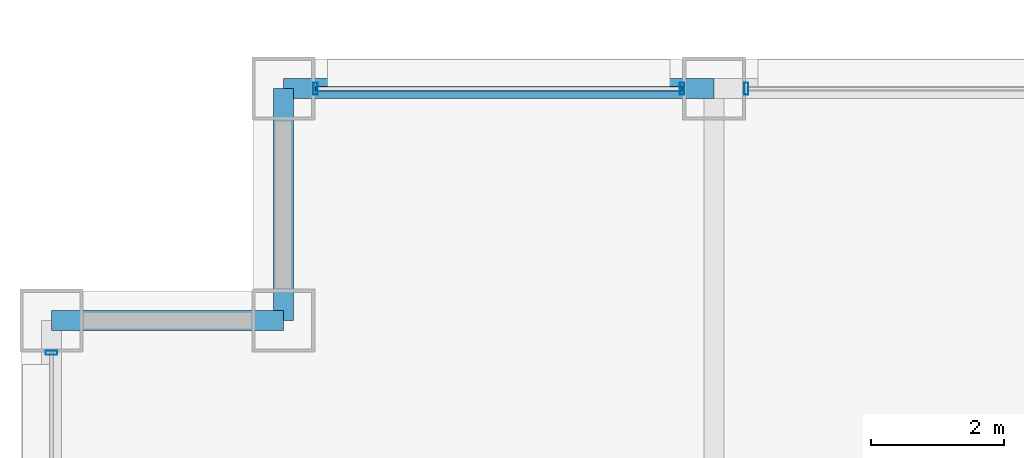
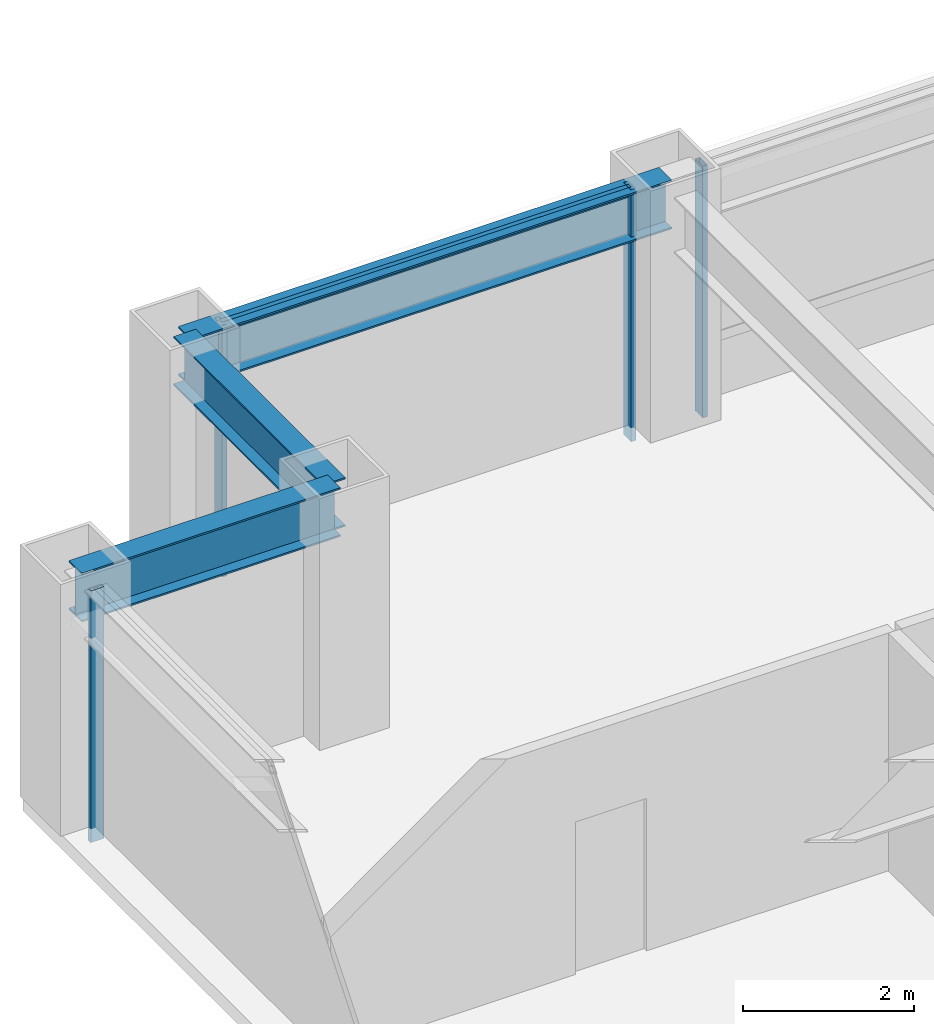
# One storey, part 17 of 31: 5 members, 3 beams, 3 elements without a shape of their own.
"""IFC4 building model written with IfcOpenShell, lengths in metres."""

from ifc_helpers import new_model, si_unit, direction, frame, origin, origin_2d, place, context, subcontext, project, spatial, hollow_rectangle, i_section, extrude, material, layer, layer_set, material_profile, profile_set, type_object, element, aggregate, save


model = new_model("IFC4")

# Units and contexts
model_context = context("Model", 3, precision=1e-05, world=origin(), true_north=direction((0.0, 1.0)))
body_context = subcontext(model_context, "Body", "Model", "MODEL_VIEW")
ifc_project = project(units=[si_unit("LENGTHUNIT", "METRE"), si_unit("AREAUNIT", "SQUARE_METRE"), si_unit("VOLUMEUNIT", "CUBIC_METRE"), si_unit("PLANEANGLEUNIT", "RADIAN"), si_unit("MASSUNIT", "GRAM", prefix="KILO")], contexts=[model_context])

# Site, building, storey
site_placement = place(None, origin())
site = spatial("IfcSite", under=ifc_project, at=site_placement, CompositionType="ELEMENT")
building_placement = place(site_placement, origin())
building = spatial("IfcBuilding", under=site, at=building_placement, Name="Brelmoor Portico Tower", CompositionType="ELEMENT")
storey_placement = place(building_placement, frame((0.0, 0.0, 31.199951171875)))
storey = spatial("IfcBuildingStorey", under=building, at=storey_placement, Name="L07", CompositionType="ELEMENT", Elevation=31.199951171875)

# Beams
ifc_material_1 = material(Name="Steel Q355B", Category="steel")
ifc_material_profile_1 = material_profile(ifc_material_1, i_section(OverallWidth=0.300048828125, OverallDepth=0.699951171875, WebThickness=0.012939453125, FlangeThickness=0.02392578125, at=origin_2d()), Name="HN 700x300x13x24")
ifc_profile_set_1 = profile_set([ifc_material_profile_1], Name="Steel Q355B")
beam_type = type_object("IfcBeamType", Name="BM-SP-700", PredefinedType="SPANDREL", material=ifc_profile_set_1)
beam_1_placement = place(storey_placement, frame((-24.550048828125, 18.050048828125, 3.050048828125), z_axis=(1.0, 0.0, 0.0), x_axis=(0.0, 1.0, 0.0)))
element("IfcBeam", 1, at=beam_1_placement, inside=storey, type_object=beam_type, Name="L07 Perimeter Spandrel Beam SP-08", PredefinedType="SPANDREL", context=body_context, shape_type="SweptSolid", body=[
    extrude(i_section(OverallWidth=0.300048828125, OverallDepth=0.699951171875, WebThickness=0.012939453125, FlangeThickness=0.02392578125, at=origin_2d()), origin(), (0.0, 0.0, 1.0), 3.5),
])
beam_2_placement = place(storey_placement, frame((-21.050048828125, 21.550048828125, 3.050048828125), z_axis=(1.0, 0.0, 0.0), x_axis=(0.0, 1.0, 0.0)))
element("IfcBeam", 2, at=beam_2_placement, inside=storey, type_object=beam_type, Name="L07 Perimeter Spandrel Beam SP-10", PredefinedType="SPANDREL", context=body_context, shape_type="SweptSolid", body=[
    extrude(i_section(OverallWidth=0.300048828125, OverallDepth=0.699951171875, WebThickness=0.012939453125, FlangeThickness=0.02392578125, at=origin_2d()), origin(), (0.0, 0.0, 1.0), 6.5),
])
beam_3_placement = place(storey_placement, frame((-21.050048828125, 18.050048828125, 3.050048828125), z_axis=(0.0, 1.0, 0.0), x_axis=(-1.0, 0.0, 0.0)))
element("IfcBeam", 3, at=beam_3_placement, inside=storey, type_object=beam_type, Name="L07 Perimeter Spandrel Beam SP-19", PredefinedType="SPANDREL", context=body_context, shape_type="SweptSolid", body=[
    extrude(i_section(OverallWidth=0.300048828125, OverallDepth=0.699951171875, WebThickness=0.012939453125, FlangeThickness=0.02392578125, at=origin_2d()), origin(), (0.0, 0.0, 1.0), 3.5),
])

# Curtain wall, members
ifc_material_2 = material(Name="Anodised Aluminium Alloy 6063-T6", Category="aluminium")
ifc_layer_1 = layer(ifc_material_2, 0.179931640625)
ifc_layer_set_1 = layer_set([ifc_layer_1], Name="Anodised Aluminium Alloy 6063-T6")
curtain_wall_type_1 = type_object("IfcCurtainWallType", Name="CW-TOWER-Z1-XB", PredefinedType="NOTDEFINED", material=ifc_layer_set_1)
curtain_wall_1_placement = place(storey_placement, origin())
curtain_wall_1 = element("IfcCurtainWall", 4, at=curtain_wall_1_placement, inside=storey, type_object=curtain_wall_type_1, Name="L07 Curtain Wall CW-L07-2L-1", PredefinedType="NOTDEFINED")
ifc_material_profile_2 = material_profile(ifc_material_2, hollow_rectangle(XDim=0.06494140625, YDim=0.179931640625, WallThickness=0.00390625, at=origin_2d()), Name="ALU MULLION 65x180")
ifc_profile_set_2 = profile_set([ifc_material_profile_2], Name="Anodised Aluminium Alloy 6063-T6")
member_type_1 = type_object("IfcMemberType", Name="MB-CW-MULL-180", PredefinedType="MULLION", material=ifc_profile_set_2)
member_1_placement = place(storey_placement, frame((-20.56494140625, 21.550048828125, -0.199951171875), z_axis=(0.0, 0.0, 1.0), x_axis=(1.0, 0.0, 0.0)))
member_1 = element("IfcMember", 5, at=member_1_placement, type_object=member_type_1, Name="CW-L07-2L-1 Mullion 00", PredefinedType="MULLION", context=body_context, shape_type="SweptSolid", body=[
    extrude(hollow_rectangle(XDim=0.06494140625, YDim=0.179931640625, WallThickness=0.00390625, at=origin_2d()), origin(), (0.0, 0.0, 1.0), 3.60009765625),
])
member_2_placement = place(storey_placement, frame((-15.034912109375, 21.550048828125, -0.199951171875), z_axis=(0.0, 0.0, 1.0), x_axis=(1.0, 0.0, 0.0)))
member_2 = element("IfcMember", 6, at=member_2_placement, type_object=member_type_1, Name="CW-L07-2L-1 Mullion 01", PredefinedType="MULLION", context=body_context, shape_type="SweptSolid", body=[
    extrude(hollow_rectangle(XDim=0.06494140625, YDim=0.179931640625, WallThickness=0.00390625, at=origin_2d()), origin(), (0.0, 0.0, 1.0), 3.60009765625),
])

# Curtain wall, member
ifc_layer_2 = layer(ifc_material_2, 0.179931640625)
ifc_layer_set_2 = layer_set([ifc_layer_2], Name="Anodised Aluminium Alloy 6063-T6")
curtain_wall_type_2 = type_object("IfcCurtainWallType", Name="CW-TOWER-Z1", PredefinedType="NOTDEFINED", material=ifc_layer_set_2)
curtain_wall_2_placement = place(storey_placement, origin())
curtain_wall_2 = element("IfcCurtainWall", 7, at=curtain_wall_2_placement, inside=storey, type_object=curtain_wall_type_2, Name="L07 Curtain Wall CW-L07-2L-2", PredefinedType="NOTDEFINED")
member_3_placement = place(storey_placement, frame((-14.06494140625, 21.550048828125, -0.199951171875), z_axis=(0.0, 0.0, 1.0), x_axis=(1.0, 0.0, 0.0)))
member_3 = element("IfcMember", 8, at=member_3_placement, type_object=member_type_1, Name="CW-L07-2L-2 Mullion 00", PredefinedType="MULLION", context=body_context, shape_type="SweptSolid", body=[
    extrude(hollow_rectangle(XDim=0.06494140625, YDim=0.179931640625, WallThickness=0.00390625, at=origin_2d()), origin(), (0.0, 0.0, 1.0), 3.60009765625),
])
aggregate(curtain_wall_2, [member_3])

curtain_wall_3_placement = place(storey_placement, origin())
curtain_wall_3 = element("IfcCurtainWall", 9, at=curtain_wall_3_placement, inside=storey, type_object=curtain_wall_type_1, Name="L07 Curtain Wall CW-L07-03-3", PredefinedType="NOTDEFINED")
member_4_placement = place(storey_placement, frame((-24.550048828125, 17.56494140625, -0.199951171875), z_axis=(0.0, 0.0, 1.0), x_axis=(0.0, 1.0, 0.0)))
member_4 = element("IfcMember", 10, at=member_4_placement, type_object=member_type_1, Name="CW-L07-03-3 Mullion 01", PredefinedType="MULLION", context=body_context, shape_type="SweptSolid", body=[
    extrude(hollow_rectangle(XDim=0.06494140625, YDim=0.179931640625, WallThickness=0.00390625, at=origin_2d()), origin(), (0.0, 0.0, 1.0), 3.60009765625),
])
aggregate(curtain_wall_3, [member_4])

# Member
ifc_material_profile_3 = material_profile(ifc_material_2, hollow_rectangle(XDim=0.06494140625, YDim=0.139892578125, WallThickness=0.00390625, at=origin_2d()), Name="ALU TRANSOM 65x140")
ifc_profile_set_3 = profile_set([ifc_material_profile_3], Name="Anodised Aluminium Alloy 6063-T6")
member_type_2 = type_object("IfcMemberType", Name="MB-CW-TRAN-140", PredefinedType="USERDEFINED", material=ifc_profile_set_3)
member_5_placement = place(storey_placement, frame((-20.56494140625, 21.550048828125, 3.330078125), z_axis=(1.0, 0.0, 0.0), x_axis=(0.0, 1.0, 0.0)))
member_5 = element("IfcMember", 11, at=member_5_placement, type_object=member_type_2, Name="CW-L07-2L-1 Transom 1-00", ObjectType="TRANSOM", PredefinedType="USERDEFINED", context=body_context, shape_type="SweptSolid", body=[
    extrude(hollow_rectangle(XDim=0.06494140625, YDim=0.139892578125, WallThickness=0.00390625, at=origin_2d()), origin(), (0.0, 0.0, 1.0), 5.530029296875),
])

aggregate(curtain_wall_1, [member_1, member_2, member_5])

save(model, "model.ifc")
